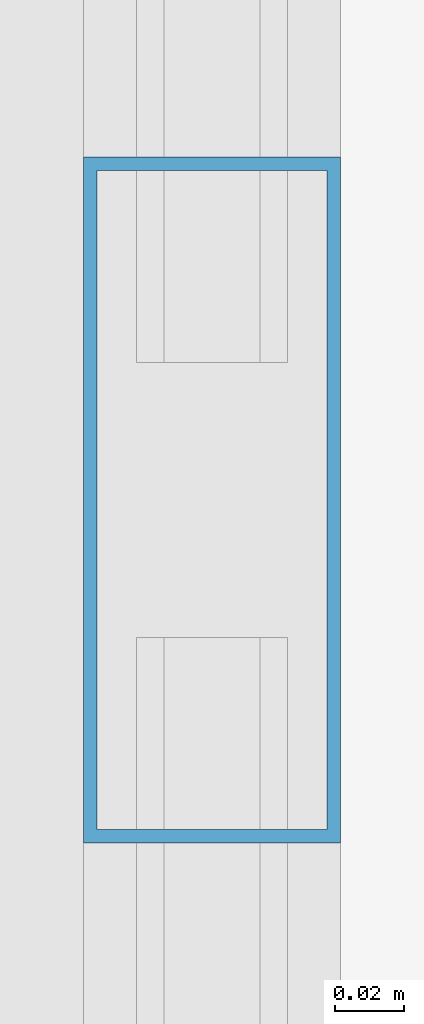
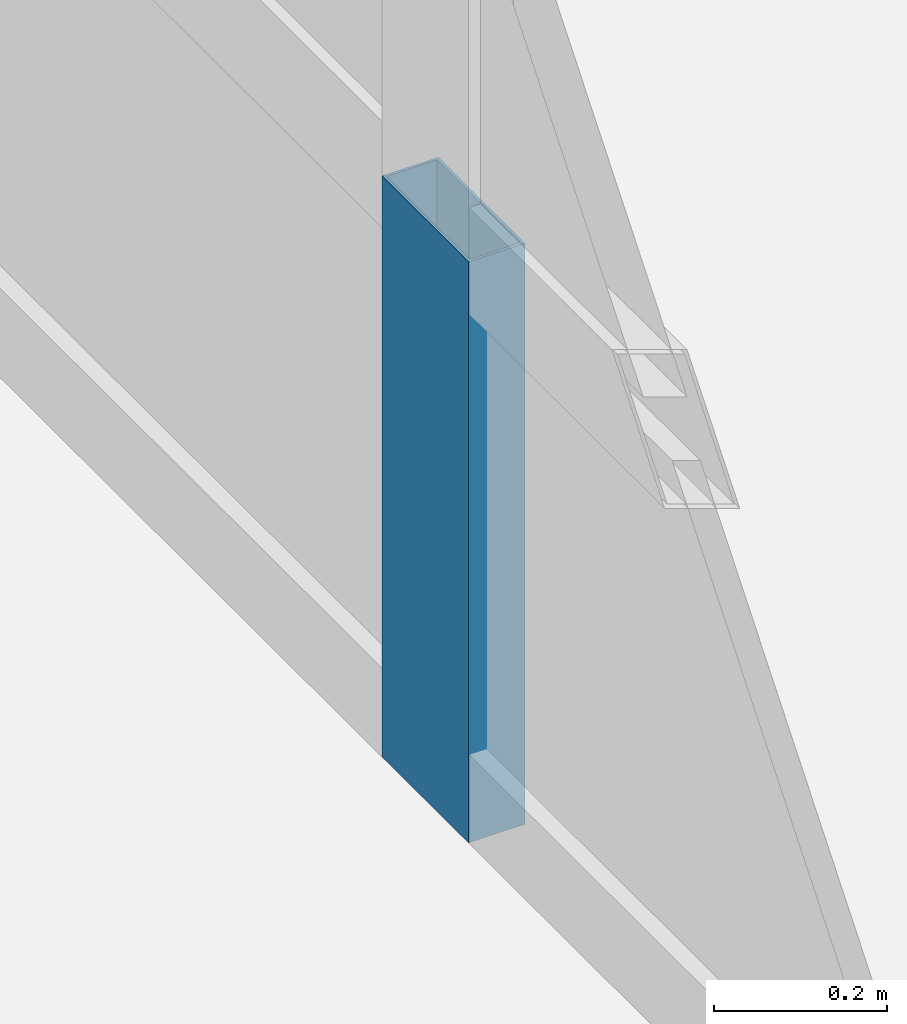
# One storey, part 22 of 34: 1 member, 1 element without a shape of its own.
"""IFC4 building model written with IfcOpenShell, lengths in metres."""

import ifcopenshell
import ifcopenshell.guid

model = None  # the IFC model being written
_history = None  # IfcOwnerHistory: only IFC2X3 demands one
_inside = {}  # id of a spatial element -> (the spatial element, [elements in it])
_under = {}  # id of a project, library or spatial element -> (it, [spatial elements below it])
_declared = {}  # id of a project -> (the project, [libraries it declares])
_typed = {}  # id of a type object -> (the type object, [elements of that type])
_made_of = {}  # id of a material, layer set ... -> (it, [elements and type objects made of it])


def new_model(schema):
    """Start an empty IFC model of exactly this schema.

    Asked for "IFC4X3", IfcOpenShell would pick the latest addendum, in which some entities
    have other attributes; the version numbers below select the first issue.
    IFC2X3 requires an IfcOwnerHistory on every rooted entity: one is made here for all.
    """
    global model, _history
    if schema == "IFC4X3":
        model = ifcopenshell.file(schema_version=(4, 3, 0, 0))
    else:
        model = ifcopenshell.file(schema=schema)
    _inside.clear()
    _under.clear()
    _declared.clear()
    _typed.clear()
    _made_of.clear()
    _history = None
    if model.schema == "IFC2X3":
        org = make("IfcOrganization", Name="unknown")
        user = make(
            "IfcPersonAndOrganization",
            ThePerson=make("IfcPerson", FamilyName="unknown"),
            TheOrganization=org,
        )
        app = make(
            "IfcApplication",
            ApplicationDeveloper=org,
            Version="unknown",
            ApplicationFullName="unknown",
            ApplicationIdentifier="unknown",
        )
        _history = make(
            "IfcOwnerHistory",
            OwningUser=user,
            OwningApplication=app,
            ChangeAction="ADDED",
            CreationDate=0,
        )
    return model


def make(cls, **values):
    """One entity of the class cls with the attributes given. An attribute that is None is left unset."""
    return model.create_entity(
        cls, **{name: value for name, value in values.items() if value is not None}
    )


def rooted(cls, **values):
    """An entity with a GlobalId (a new one), such as an element, a storey or a relation."""
    return make(cls, GlobalId=ifcopenshell.guid.new(), OwnerHistory=_history, **values)


def si_unit(unit_type, name, prefix=None):
    """IfcSIUnit, for example si_unit("LENGTHUNIT", "METRE", prefix="MILLI")."""
    return make("IfcSIUnit", UnitType=unit_type, Prefix=prefix, Name=name)


def assignment(units):
    """IfcUnitAssignment: the units of a project."""
    return None if units is None else make("IfcUnitAssignment", Units=units)


def point(xyz):
    """IfcCartesianPoint."""
    return None if xyz is None else make("IfcCartesianPoint", Coordinates=xyz)


def direction(xyz):
    """IfcDirection."""
    return None if xyz is None else make("IfcDirection", DirectionRatios=xyz)


def frame(location, z_axis=None, x_axis=None):
    """IfcAxis2Placement3D, a coordinate frame: its origin and axes. An axis left out is left unset."""
    return make(
        "IfcAxis2Placement3D",
        Location=point(location),
        Axis=direction(z_axis),
        RefDirection=direction(x_axis),
    )


def frame_2d(location, x_axis=None):
    """IfcAxis2Placement2D, a coordinate frame in the plane: its origin and x axis."""
    return make(
        "IfcAxis2Placement2D", Location=point(location), RefDirection=direction(x_axis)
    )


def origin():
    """The frame at (0, 0, 0) with its axes left unset."""
    return frame((0.0, 0.0, 0.0))


def origin_2d():
    """The frame at (0, 0) in the plane with its x axis left unset."""
    return frame_2d((0.0, 0.0))


def place(relative_to, where):
    """IfcLocalPlacement: puts the frame where relative to a parent placement (None: the world)."""
    return make(
        "IfcLocalPlacement", PlacementRelTo=relative_to, RelativePlacement=where
    )


def context(
    kind, dimensions, precision=None, world=None, true_north=None, identifier=None
):
    """IfcGeometricRepresentationContext, for example the 3D "Model" context."""
    return make(
        "IfcGeometricRepresentationContext",
        ContextIdentifier=identifier,
        ContextType=kind,
        CoordinateSpaceDimension=dimensions,
        Precision=precision,
        WorldCoordinateSystem=world,
        TrueNorth=true_north,
    )


def subcontext(parent, identifier, kind, view, scale=None):
    """IfcGeometricRepresentationSubContext, for example "Body" below "Model"."""
    return make(
        "IfcGeometricRepresentationSubContext",
        ContextIdentifier=identifier,
        ContextType=kind,
        ParentContext=parent,
        TargetScale=scale,
        TargetView=view,
    )


def project(units=None, contexts=None):
    """IfcProject with its units and contexts."""
    return rooted(
        "IfcProject",
        Name="project",
        RepresentationContexts=contexts,
        UnitsInContext=assignment(units),
    )


def spatial(cls, under=None, at=None, **own):
    """A site, building, storey or space (cls), placed at a placement, below another one or the project."""
    s = rooted(cls, ObjectPlacement=at, **own)
    if under is not None:
        _under.setdefault(under.id(), (under, []))[1].append(s)
    return s


def profile(cls, at=None, kind="AREA", **sizes):
    """A parametric profile (cls). Its sizes go by their IFC names, for example OverallWidth=200.0."""
    return make(cls, ProfileType=kind, Position=at, **sizes)


def hollow_rectangle(**sizes):
    """IfcRectangleHollowProfileDef."""
    return profile("IfcRectangleHollowProfileDef", **sizes)


def extrude(swept, where, along, depth):
    """IfcExtrudedAreaSolid: the profile swept, set in the frame where, extruded along a direction by depth."""
    return make(
        "IfcExtrudedAreaSolid",
        SweptArea=swept,
        Position=where,
        ExtrudedDirection=direction(along),
        Depth=depth,
    )


def shape(context_of_items, identifier, shape_type, items):
    """IfcShapeRepresentation: the items that make up one representation, for example the "Body"."""
    return make(
        "IfcShapeRepresentation",
        ContextOfItems=context_of_items,
        RepresentationIdentifier=identifier,
        RepresentationType=shape_type,
        Items=items,
    )


def source(mapping_origin, context_of_items, identifier, shape_type, items):
    """IfcRepresentationMap: a shape defined once, which mapped items show again and again."""
    return make(
        "IfcRepresentationMap",
        MappingOrigin=mapping_origin,
        MappedRepresentation=shape(context_of_items, identifier, shape_type, items),
    )


def transform(
    local_origin,
    x_axis=None,
    y_axis=None,
    z_axis=None,
    scale=None,
    scale2=None,
    scale3=None,
    uniform=True,
):
    """IfcCartesianTransformationOperator3D, or its non-uniform kind. x_axis, y_axis, z_axis: its Axis1, 2, 3."""
    if uniform:
        return make(
            "IfcCartesianTransformationOperator3D",
            Axis1=direction(x_axis),
            Axis2=direction(y_axis),
            LocalOrigin=point(local_origin),
            Scale=scale,
            Axis3=direction(z_axis),
        )
    return make(
        "IfcCartesianTransformationOperator3DnonUniform",
        Axis1=direction(x_axis),
        Axis2=direction(y_axis),
        LocalOrigin=point(local_origin),
        Scale=scale,
        Axis3=direction(z_axis),
        Scale2=scale2,
        Scale3=scale3,
    )


def mapped(mapping_source, mapping_target):
    """IfcMappedItem: shows the shape of a source again, moved by a transform."""
    return make(
        "IfcMappedItem", MappingSource=mapping_source, MappingTarget=mapping_target
    )


def material(Name=None, Category=None):
    """IfcMaterial."""
    return make("IfcMaterial", Name=Name, Category=Category)


def layer(
    of_material, thickness, ventilated=None, Name=None, Category=None, Priority=None
):
    """IfcMaterialLayer: one layer of a wall or slab, of a material (None: an air gap)."""
    return make(
        "IfcMaterialLayer",
        Material=of_material,
        LayerThickness=thickness,
        IsVentilated=ventilated,
        Name=Name,
        Category=Category,
        Priority=Priority,
    )


def layer_set(layers, Name=None):
    """IfcMaterialLayerSet."""
    return make("IfcMaterialLayerSet", MaterialLayers=layers, LayerSetName=Name)


def material_profile(
    of_material, cross_section, Name=None, Category=None, Priority=None
):
    """IfcMaterialProfile: a cross section and its material."""
    return make(
        "IfcMaterialProfile",
        Name=Name,
        Material=of_material,
        Profile=cross_section,
        Priority=Priority,
        Category=Category,
    )


def profile_set(profiles, Name=None, composite=None):
    """IfcMaterialProfileSet."""
    return make(
        "IfcMaterialProfileSet",
        Name=Name,
        MaterialProfiles=profiles,
        CompositeProfile=composite,
    )


def made_of(thing, what):
    """Note that an element or type object is made of a material, layer set ...; save() writes the relation."""
    if what is not None:
        _made_of.setdefault(what.id(), (what, []))[1].append(thing)
    return thing


def type_object(cls, material=None, **own):
    """A type object (cls), such as IfcWallType, which elements share."""
    return made_of(rooted(cls, **own), material)


def element(
    cls,
    number,
    at=None,
    inside=None,
    cuts=None,
    type_object=None,
    material=None,
    context=None,
    identifier="Body",
    shape_type=None,
    held_by="IfcProductDefinitionShape",
    body=None,
    shapes=None,
    **own,
):
    """One element of the class cls, such as IfcWall. Its Tag is "e" and its number.

    at: its placement. inside: the storey or other place that contains it. cuts: it is an
    opening in that element (IfcRelVoidsElement). A single representation is given by context,
    identifier, shape_type and body (its items); several are given by shapes. held_by: the class
    of the entity that holds the representations. save() writes the other relations.
    """
    e = rooted(cls, Tag="e%d" % number, ObjectPlacement=at, **own)
    if body is not None:
        shapes = [shape(context, identifier, shape_type, body)]
    if shapes is not None:
        e.Representation = make(held_by, Representations=shapes)
    if inside is not None:
        _inside.setdefault(inside.id(), (inside, []))[1].append(e)
    if cuts is not None:
        rooted(
            "IfcRelVoidsElement", RelatingBuildingElement=cuts, RelatedOpeningElement=e
        )
    if type_object is not None:
        _typed.setdefault(type_object.id(), (type_object, []))[1].append(e)
    return made_of(e, material)


def aggregate(whole, parts):
    """IfcRelAggregates: a whole, such as a stair, and the parts it consists of."""
    return rooted("IfcRelAggregates", RelatingObject=whole, RelatedObjects=parts)


def save(model, path):
    """Write the relations noted so far, then the file.

    IfcRelAggregates (storeys below a building ...), IfcRelContainedInSpatialStructure (elements
    in a storey), IfcRelDefinesByType, IfcRelAssociatesMaterial and IfcRelDeclares: one each for
    every whole, place, type object, material and project.
    """
    for whole, parts in _under.values():
        aggregate(whole, parts)
    for where, things in _inside.values():
        rooted(
            "IfcRelContainedInSpatialStructure",
            RelatedElements=things,
            RelatingStructure=where,
        )
    for kind, things in _typed.values():
        rooted("IfcRelDefinesByType", RelatedObjects=things, RelatingType=kind)
    for what, things in _made_of.values():
        rooted("IfcRelAssociatesMaterial", RelatedObjects=things, RelatingMaterial=what)
    for by, libraries in _declared.values():
        rooted("IfcRelDeclares", RelatingContext=by, RelatedDefinitions=libraries)
    model.write(path)


model = new_model("IFC4")

# Units and contexts
model_context = context("Model", 3, precision=1e-05, world=origin(), true_north=direction((0.0, 1.0)))
body_context = subcontext(model_context, "Body", "Model", "MODEL_VIEW")
ifc_project = project(units=[si_unit("LENGTHUNIT", "METRE"), si_unit("AREAUNIT", "SQUARE_METRE"), si_unit("VOLUMEUNIT", "CUBIC_METRE"), si_unit("PLANEANGLEUNIT", "RADIAN"), si_unit("MASSUNIT", "GRAM", prefix="KILO"), si_unit("THERMODYNAMICTEMPERATUREUNIT", "KELVIN"), si_unit("POWERUNIT", "WATT")], contexts=[model_context])

# Site, building, storey
site_placement = place(None, origin())
site = spatial("IfcSite", under=ifc_project, at=site_placement, CompositionType="ELEMENT")
building_placement = place(site_placement, origin())
building = spatial("IfcBuilding", under=site, at=building_placement, Name="Yuzanri Waterfront Tower", CompositionType="ELEMENT")
storey_placement = place(building_placement, frame((0.0, 0.0, 347.199951171875)))
storey = spatial("IfcBuildingStorey", under=building, at=storey_placement, Name="L93", CompositionType="ELEMENT", Elevation=347.199951171875)

# Curtain wall, member
ifc_material_1 = material(Name="Anodized Architectural Bronze", Category="metal")
ifc_layer = layer(ifc_material_1, 0.159912109375)
ifc_layer_set = layer_set([ifc_layer], Name="Anodized Architectural Bronze")
curtain_wall_type = type_object("IfcCurtainWallType", Name="Anodized Bronze High-Rise Penthouse High-Wind Unitized Curtain Wall 6900", PredefinedType="NOTDEFINED", material=ifc_layer_set)
curtain_wall_placement = place(storey_placement, origin())
curtain_wall = element("IfcCurtainWall", 1, at=curtain_wall_placement, inside=storey, type_object=curtain_wall_type, Name="L93 Curtain Wall CW-L93-WL", PredefinedType="NOTDEFINED")
ifc_material_2 = material(Name="Anodized Architectural Bronze", Category="metal")
ifc_material_profile = material_profile(ifc_material_2, hollow_rectangle(XDim=0.074951171875, YDim=0.199951171875, WallThickness=0.00390625, at=origin_2d()), Name="CWM 75x200")
ifc_profile_set = profile_set([ifc_material_profile], Name="Anodized Architectural Bronze")
member_type = type_object("IfcMemberType", Name="Anodized Bronze Primary Curtain-Wall Mullion 75x200", PredefinedType="MULLION", material=ifc_profile_set)
shared_shape = source(origin(), body_context, "Body", "SweptSolid", [
    extrude(hollow_rectangle(XDim=0.074951171875, YDim=0.199951171875, WallThickness=0.00390625, at=origin_2d()), origin(), (0.0, 0.0, 1.0), 0.818115234375),
])
member_placement = place(storey_placement, frame((18.050048828125, 19.75, 0.0), z_axis=(0.0, 0.0, 1.0), x_axis=(1.0, 0.0, 0.0)))
member = element("IfcMember", 2, at=member_placement, type_object=member_type, Name="CW-L93-WL Lower Mullion 01", PredefinedType="MULLION", context=body_context, shape_type="MappedRepresentation", body=[
    mapped(shared_shape, transform((0.0, 0.0, 0.0), scale=1.0)),
])
aggregate(curtain_wall, [member])

save(model, "model.ifc")
